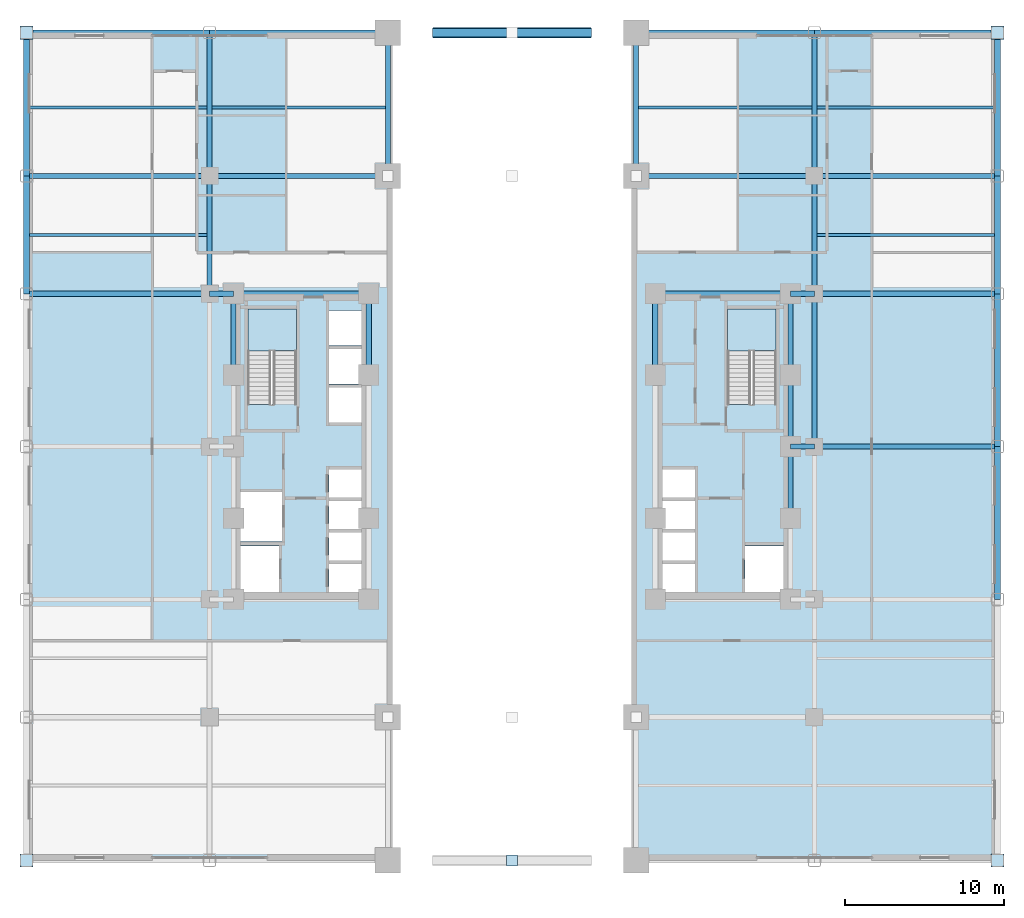
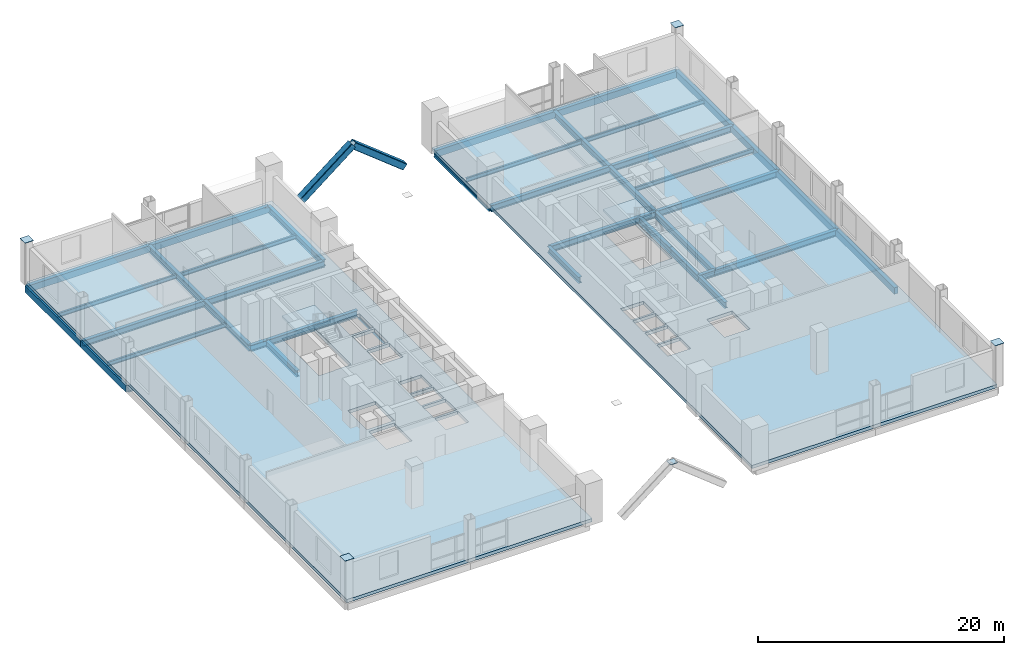
# One storey, part 2 of 14: 43 beams, 5 plates, 4 slabs, 2 elements without a shape of their own.
"""IFC4 building model written with IfcOpenShell, lengths in metres."""

import ifcopenshell
import ifcopenshell.guid

model = None  # the IFC model being written
_history = None  # IfcOwnerHistory: only IFC2X3 demands one
_inside = {}  # id of a spatial element -> (the spatial element, [elements in it])
_under = {}  # id of a project, library or spatial element -> (it, [spatial elements below it])
_declared = {}  # id of a project -> (the project, [libraries it declares])
_typed = {}  # id of a type object -> (the type object, [elements of that type])
_made_of = {}  # id of a material, layer set ... -> (it, [elements and type objects made of it])


def new_model(schema):
    """Start an empty IFC model of exactly this schema.

    Asked for "IFC4X3", IfcOpenShell would pick the latest addendum, in which some entities
    have other attributes; the version numbers below select the first issue.
    IFC2X3 requires an IfcOwnerHistory on every rooted entity: one is made here for all.
    """
    global model, _history
    if schema == "IFC4X3":
        model = ifcopenshell.file(schema_version=(4, 3, 0, 0))
    else:
        model = ifcopenshell.file(schema=schema)
    _inside.clear()
    _under.clear()
    _declared.clear()
    _typed.clear()
    _made_of.clear()
    _history = None
    if model.schema == "IFC2X3":
        org = make("IfcOrganization", Name="unknown")
        user = make(
            "IfcPersonAndOrganization",
            ThePerson=make("IfcPerson", FamilyName="unknown"),
            TheOrganization=org,
        )
        app = make(
            "IfcApplication",
            ApplicationDeveloper=org,
            Version="unknown",
            ApplicationFullName="unknown",
            ApplicationIdentifier="unknown",
        )
        _history = make(
            "IfcOwnerHistory",
            OwningUser=user,
            OwningApplication=app,
            ChangeAction="ADDED",
            CreationDate=0,
        )
    return model


def make(cls, **values):
    """One entity of the class cls with the attributes given. An attribute that is None is left unset."""
    return model.create_entity(
        cls, **{name: value for name, value in values.items() if value is not None}
    )


def rooted(cls, **values):
    """An entity with a GlobalId (a new one), such as an element, a storey or a relation."""
    return make(cls, GlobalId=ifcopenshell.guid.new(), OwnerHistory=_history, **values)


def si_unit(unit_type, name, prefix=None):
    """IfcSIUnit, for example si_unit("LENGTHUNIT", "METRE", prefix="MILLI")."""
    return make("IfcSIUnit", UnitType=unit_type, Prefix=prefix, Name=name)


def assignment(units):
    """IfcUnitAssignment: the units of a project."""
    return None if units is None else make("IfcUnitAssignment", Units=units)


def point(xyz):
    """IfcCartesianPoint."""
    return None if xyz is None else make("IfcCartesianPoint", Coordinates=xyz)


def direction(xyz):
    """IfcDirection."""
    return None if xyz is None else make("IfcDirection", DirectionRatios=xyz)


def frame(location, z_axis=None, x_axis=None):
    """IfcAxis2Placement3D, a coordinate frame: its origin and axes. An axis left out is left unset."""
    return make(
        "IfcAxis2Placement3D",
        Location=point(location),
        Axis=direction(z_axis),
        RefDirection=direction(x_axis),
    )


def frame_2d(location, x_axis=None):
    """IfcAxis2Placement2D, a coordinate frame in the plane: its origin and x axis."""
    return make(
        "IfcAxis2Placement2D", Location=point(location), RefDirection=direction(x_axis)
    )


def origin():
    """The frame at (0, 0, 0) with its axes left unset."""
    return frame((0.0, 0.0, 0.0))


def origin_2d():
    """The frame at (0, 0) in the plane with its x axis left unset."""
    return frame_2d((0.0, 0.0))


def place(relative_to, where):
    """IfcLocalPlacement: puts the frame where relative to a parent placement (None: the world)."""
    return make(
        "IfcLocalPlacement", PlacementRelTo=relative_to, RelativePlacement=where
    )


def context(
    kind, dimensions, precision=None, world=None, true_north=None, identifier=None
):
    """IfcGeometricRepresentationContext, for example the 3D "Model" context."""
    return make(
        "IfcGeometricRepresentationContext",
        ContextIdentifier=identifier,
        ContextType=kind,
        CoordinateSpaceDimension=dimensions,
        Precision=precision,
        WorldCoordinateSystem=world,
        TrueNorth=true_north,
    )


def subcontext(parent, identifier, kind, view, scale=None):
    """IfcGeometricRepresentationSubContext, for example "Body" below "Model"."""
    return make(
        "IfcGeometricRepresentationSubContext",
        ContextIdentifier=identifier,
        ContextType=kind,
        ParentContext=parent,
        TargetScale=scale,
        TargetView=view,
    )


def project(units=None, contexts=None):
    """IfcProject with its units and contexts."""
    return rooted(
        "IfcProject",
        Name="project",
        RepresentationContexts=contexts,
        UnitsInContext=assignment(units),
    )


def spatial(cls, under=None, at=None, **own):
    """A site, building, storey or space (cls), placed at a placement, below another one or the project."""
    s = rooted(cls, ObjectPlacement=at, **own)
    if under is not None:
        _under.setdefault(under.id(), (under, []))[1].append(s)
    return s


def polyline(points):
    """IfcPolyline through the points."""
    return make("IfcPolyline", Points=[point(p) for p in points])


def profile(cls, at=None, kind="AREA", **sizes):
    """A parametric profile (cls). Its sizes go by their IFC names, for example OverallWidth=200.0."""
    return make(cls, ProfileType=kind, Position=at, **sizes)


def rectangle(**sizes):
    """IfcRectangleProfileDef."""
    return profile("IfcRectangleProfileDef", **sizes)


def hollow_rectangle(**sizes):
    """IfcRectangleHollowProfileDef."""
    return profile("IfcRectangleHollowProfileDef", **sizes)


def i_section(**sizes):
    """IfcIShapeProfileDef."""
    return profile("IfcIShapeProfileDef", **sizes)


def outline(outer, holes=None, kind="AREA"):
    """IfcArbitraryClosedProfileDef: a profile drawn as a closed curve; with holes, ...WithVoids."""
    if holes is None:
        return make("IfcArbitraryClosedProfileDef", ProfileType=kind, OuterCurve=outer)
    return make(
        "IfcArbitraryProfileDefWithVoids",
        ProfileType=kind,
        OuterCurve=outer,
        InnerCurves=holes,
    )


def extrude(swept, where, along, depth):
    """IfcExtrudedAreaSolid: the profile swept, set in the frame where, extruded along a direction by depth."""
    return make(
        "IfcExtrudedAreaSolid",
        SweptArea=swept,
        Position=where,
        ExtrudedDirection=direction(along),
        Depth=depth,
    )


def shape(context_of_items, identifier, shape_type, items):
    """IfcShapeRepresentation: the items that make up one representation, for example the "Body"."""
    return make(
        "IfcShapeRepresentation",
        ContextOfItems=context_of_items,
        RepresentationIdentifier=identifier,
        RepresentationType=shape_type,
        Items=items,
    )


def source(mapping_origin, context_of_items, identifier, shape_type, items):
    """IfcRepresentationMap: a shape defined once, which mapped items show again and again."""
    return make(
        "IfcRepresentationMap",
        MappingOrigin=mapping_origin,
        MappedRepresentation=shape(context_of_items, identifier, shape_type, items),
    )


def transform(
    local_origin,
    x_axis=None,
    y_axis=None,
    z_axis=None,
    scale=None,
    scale2=None,
    scale3=None,
    uniform=True,
):
    """IfcCartesianTransformationOperator3D, or its non-uniform kind. x_axis, y_axis, z_axis: its Axis1, 2, 3."""
    if uniform:
        return make(
            "IfcCartesianTransformationOperator3D",
            Axis1=direction(x_axis),
            Axis2=direction(y_axis),
            LocalOrigin=point(local_origin),
            Scale=scale,
            Axis3=direction(z_axis),
        )
    return make(
        "IfcCartesianTransformationOperator3DnonUniform",
        Axis1=direction(x_axis),
        Axis2=direction(y_axis),
        LocalOrigin=point(local_origin),
        Scale=scale,
        Axis3=direction(z_axis),
        Scale2=scale2,
        Scale3=scale3,
    )


def mapped(mapping_source, mapping_target):
    """IfcMappedItem: shows the shape of a source again, moved by a transform."""
    return make(
        "IfcMappedItem", MappingSource=mapping_source, MappingTarget=mapping_target
    )


def material(Name=None, Category=None):
    """IfcMaterial."""
    return make("IfcMaterial", Name=Name, Category=Category)


def layer(
    of_material, thickness, ventilated=None, Name=None, Category=None, Priority=None
):
    """IfcMaterialLayer: one layer of a wall or slab, of a material (None: an air gap)."""
    return make(
        "IfcMaterialLayer",
        Material=of_material,
        LayerThickness=thickness,
        IsVentilated=ventilated,
        Name=Name,
        Category=Category,
        Priority=Priority,
    )


def layer_set(layers, Name=None):
    """IfcMaterialLayerSet."""
    return make("IfcMaterialLayerSet", MaterialLayers=layers, LayerSetName=Name)


def material_profile(
    of_material, cross_section, Name=None, Category=None, Priority=None
):
    """IfcMaterialProfile: a cross section and its material."""
    return make(
        "IfcMaterialProfile",
        Name=Name,
        Material=of_material,
        Profile=cross_section,
        Priority=Priority,
        Category=Category,
    )


def profile_set(profiles, Name=None, composite=None):
    """IfcMaterialProfileSet."""
    return make(
        "IfcMaterialProfileSet",
        Name=Name,
        MaterialProfiles=profiles,
        CompositeProfile=composite,
    )


def made_of(thing, what):
    """Note that an element or type object is made of a material, layer set ...; save() writes the relation."""
    if what is not None:
        _made_of.setdefault(what.id(), (what, []))[1].append(thing)
    return thing


def type_object(cls, material=None, **own):
    """A type object (cls), such as IfcWallType, which elements share."""
    return made_of(rooted(cls, **own), material)


def type_shapes(of_type, sources):
    """Give a type object the sources (RepresentationMaps) that its elements show as mapped items."""
    of_type.RepresentationMaps = sources


def element(
    cls,
    number,
    at=None,
    inside=None,
    cuts=None,
    type_object=None,
    material=None,
    context=None,
    identifier="Body",
    shape_type=None,
    held_by="IfcProductDefinitionShape",
    body=None,
    shapes=None,
    **own,
):
    """One element of the class cls, such as IfcWall. Its Tag is "e" and its number.

    at: its placement. inside: the storey or other place that contains it. cuts: it is an
    opening in that element (IfcRelVoidsElement). A single representation is given by context,
    identifier, shape_type and body (its items); several are given by shapes. held_by: the class
    of the entity that holds the representations. save() writes the other relations.
    """
    e = rooted(cls, Tag="e%d" % number, ObjectPlacement=at, **own)
    if body is not None:
        shapes = [shape(context, identifier, shape_type, body)]
    if shapes is not None:
        e.Representation = make(held_by, Representations=shapes)
    if inside is not None:
        _inside.setdefault(inside.id(), (inside, []))[1].append(e)
    if cuts is not None:
        rooted(
            "IfcRelVoidsElement", RelatingBuildingElement=cuts, RelatedOpeningElement=e
        )
    if type_object is not None:
        _typed.setdefault(type_object.id(), (type_object, []))[1].append(e)
    return made_of(e, material)


def aggregate(whole, parts):
    """IfcRelAggregates: a whole, such as a stair, and the parts it consists of."""
    return rooted("IfcRelAggregates", RelatingObject=whole, RelatedObjects=parts)


def save(model, path):
    """Write the relations noted so far, then the file.

    IfcRelAggregates (storeys below a building ...), IfcRelContainedInSpatialStructure (elements
    in a storey), IfcRelDefinesByType, IfcRelAssociatesMaterial and IfcRelDeclares: one each for
    every whole, place, type object, material and project.
    """
    for whole, parts in _under.values():
        aggregate(whole, parts)
    for where, things in _inside.values():
        rooted(
            "IfcRelContainedInSpatialStructure",
            RelatedElements=things,
            RelatingStructure=where,
        )
    for kind, things in _typed.values():
        rooted("IfcRelDefinesByType", RelatedObjects=things, RelatingType=kind)
    for what, things in _made_of.values():
        rooted("IfcRelAssociatesMaterial", RelatedObjects=things, RelatingMaterial=what)
    for by, libraries in _declared.values():
        rooted("IfcRelDeclares", RelatingContext=by, RelatedDefinitions=libraries)
    model.write(path)


model = new_model("IFC4")

# Units and contexts
model_context = context("Model", 3, precision=1e-05, world=origin(), true_north=direction((0.0, 1.0)))
body_context = subcontext(model_context, "Body", "Model", "MODEL_VIEW")
ifc_project = project(units=[si_unit("LENGTHUNIT", "METRE"), si_unit("AREAUNIT", "SQUARE_METRE"), si_unit("VOLUMEUNIT", "CUBIC_METRE"), si_unit("PLANEANGLEUNIT", "RADIAN"), si_unit("MASSUNIT", "GRAM", prefix="KILO")], contexts=[model_context])

# Site, building, storey
site_placement = place(None, origin())
site = spatial("IfcSite", under=ifc_project, at=site_placement, CompositionType="ELEMENT")
building_placement = place(site_placement, origin())
building = spatial("IfcBuilding", under=site, at=building_placement, Name="Nuvemarco Arch Tower", CompositionType="ELEMENT")
storey_placement = place(building_placement, frame((0.0, 0.0, 13.800048828125)))
storey = spatial("IfcBuildingStorey", under=building, at=storey_placement, Name="L03", CompositionType="ELEMENT", Elevation=13.800048828125)

# Beams
ifc_material_1 = material(Name="Steel S355", Category="steel")
ifc_material_profile_1 = material_profile(ifc_material_1, hollow_rectangle(XDim=0.64990234375, YDim=0.64990234375, WallThickness=0.0400390625, InnerFilletRadius=0.0400390625, OuterFilletRadius=0.080078125, at=origin_2d()), Name="SHS650x650x40")
ifc_profile_set_1 = profile_set([ifc_material_profile_1], Name="Steel S355")
beam_type_1 = type_object("IfcBeamType", Name="BM-ARCH-RIB", PredefinedType="BEAM", material=ifc_profile_set_1)
for number, where, z_axis, x_axis, name in (
    (1, (-4.800048828125, 26.0, -0.800048828125), (0.784045015832, 0.0, 0.620703965791), (0.0, 1.0, 0.0), "Monumental portal arch rib segment N-3"),
    (2, (0.0, 26.0, 3.0), (0.784045015832, 0.0, -0.620703965791), (0.0, 1.0, 0.0), "Monumental portal arch rib segment N-4"),
):
    element("IfcBeam", number, at=place(storey_placement, frame(where, z_axis=z_axis, x_axis=x_axis)), inside=storey, type_object=beam_type_1, Name=name, PredefinedType="BEAM", context=body_context, shape_type="SweptSolid", body=[
        extrude(hollow_rectangle(XDim=0.64990234375, YDim=0.64990234375, WallThickness=0.0400390625, InnerFilletRadius=0.0400390625, OuterFilletRadius=0.080078125, at=origin_2d()), origin(), (0.0, 0.0, 1.0), 6.1220703125),
    ])
ifc_material_profile_2 = material_profile(ifc_material_1, i_section(OverallWidth=0.324951171875, OverallDepth=0.615966796875, WebThickness=0.013916015625, FlangeThickness=0.021484375, FilletRadius=0.01611328125, at=origin_2d()), Name="W610x174")
ifc_profile_set_2 = profile_set([ifc_material_profile_2], Name="Steel S355")
beam_type_2 = type_object("IfcBeamType", Name="BM-GIRD-610H", PredefinedType="BEAM", material=ifc_profile_set_2)
beam_1_placement = place(storey_placement, frame((-19.0, 9.60009765625, -0.6279296875), z_axis=(0.0, 1.0, 0.0), x_axis=(-1.0, 0.0, 0.0)))
element("IfcBeam", 3, at=beam_1_placement, inside=storey, type_object=beam_type_2, Name="L03 structural beam BGNS_L03_0_-19.0_+9.6", PredefinedType="BEAM", context=body_context, shape_type="SweptSolid", body=[
    extrude(i_section(OverallWidth=0.324951171875, OverallDepth=0.615966796875, WebThickness=0.013916015625, FlangeThickness=0.021484375, FilletRadius=0.01611328125, at=origin_2d()), origin(), (0.0, 0.0, 1.0), 7.39990234375),
])
beam_2_placement = place(storey_placement, frame((-19.0, 17.0, -0.6279296875), z_axis=(0.0, 1.0, 0.0), x_axis=(-1.0, 0.0, 0.0)))
element("IfcBeam", 4, at=beam_2_placement, inside=storey, type_object=beam_type_2, Name="L03 structural beam BGNS_L03_0_-19.0_+17.0", PredefinedType="BEAM", context=body_context, shape_type="SweptSolid", body=[
    extrude(i_section(OverallWidth=0.324951171875, OverallDepth=0.615966796875, WebThickness=0.013916015625, FlangeThickness=0.021484375, FilletRadius=0.01611328125, at=origin_2d()), origin(), (0.0, 0.0, 1.0), 9.0),
])
for number, where, z_axis, x_axis, name in (
    (5, (-17.5, 4.5, -0.6279296875), (0.0, 1.0, 0.0), (-1.0, 0.0, 0.0), "L03 structural beam BGNS_L03_0_-17.5_+4.5"),
    (6, (-9.0, 4.5, -0.6279296875), (0.0, 1.0, 0.0), (-1.0, 0.0, 0.0), "L03 structural beam BGNS_L03_0_-9.0_+4.5"),
):
    element("IfcBeam", number, at=place(storey_placement, frame(where, z_axis=z_axis, x_axis=x_axis)), inside=storey, type_object=beam_type_2, Name=name, PredefinedType="BEAM", context=body_context, shape_type="SweptSolid", body=[
        extrude(i_section(OverallWidth=0.324951171875, OverallDepth=0.615966796875, WebThickness=0.013916015625, FlangeThickness=0.021484375, FilletRadius=0.01611328125, at=origin_2d()), origin(), (0.0, 0.0, 1.0), 5.10009765625),
    ])
beam_3_placement = place(storey_placement, frame((-7.800048828125, 17.0, -0.6279296875), z_axis=(0.0, 1.0, 0.0), x_axis=(-1.0, 0.0, 0.0)))
element("IfcBeam", 7, at=beam_3_placement, inside=storey, type_object=beam_type_2, Name="L03 structural beam BGNS_L03_0_-7.8_+17.0", PredefinedType="BEAM", context=body_context, shape_type="SweptSolid", body=[
    extrude(i_section(OverallWidth=0.324951171875, OverallDepth=0.615966796875, WebThickness=0.013916015625, FlangeThickness=0.021484375, FilletRadius=0.01611328125, at=origin_2d()), origin(), (0.0, 0.0, 1.0), 9.0),
])
beam_4_placement = place(storey_placement, frame((-30.5, 9.60009765625, -0.6279296875), z_axis=(1.0, 0.0, 0.0), x_axis=(0.0, 1.0, 0.0)))
element("IfcBeam", 8, at=beam_4_placement, inside=storey, type_object=beam_type_2, Name="L03 structural beam BGEW_L03_0_+9.6_-30.5", PredefinedType="BEAM", context=body_context, shape_type="SweptSolid", body=[
    extrude(i_section(OverallWidth=0.324951171875, OverallDepth=0.615966796875, WebThickness=0.013916015625, FlangeThickness=0.021484375, FilletRadius=0.01611328125, at=origin_2d()), origin(), (0.0, 0.0, 1.0), 11.5),
])
beam_5_placement = place(storey_placement, frame((-19.0, 9.60009765625, -0.6279296875), z_axis=(1.0, 0.0, 0.0), x_axis=(0.0, 1.0, 0.0)))
element("IfcBeam", 9, at=beam_5_placement, inside=storey, type_object=beam_type_2, Name="L03 structural beam BGEW_L03_0_+9.6_-19.0", PredefinedType="BEAM", context=body_context, shape_type="SweptSolid", body=[
    extrude(i_section(OverallWidth=0.324951171875, OverallDepth=0.615966796875, WebThickness=0.013916015625, FlangeThickness=0.021484375, FilletRadius=0.01611328125, at=origin_2d()), origin(), (0.0, 0.0, 1.0), 1.5),
])
beam_6_placement = place(storey_placement, frame((-17.5, 9.60009765625, -0.6279296875), z_axis=(1.0, 0.0, 0.0), x_axis=(0.0, 1.0, 0.0)))
element("IfcBeam", 10, at=beam_6_placement, inside=storey, type_object=beam_type_2, Name="L03 structural beam BGEW_L03_0_+9.6_-17.5", PredefinedType="BEAM", context=body_context, shape_type="SweptSolid", body=[
    extrude(i_section(OverallWidth=0.324951171875, OverallDepth=0.615966796875, WebThickness=0.013916015625, FlangeThickness=0.021484375, FilletRadius=0.01611328125, at=origin_2d()), origin(), (0.0, 0.0, 1.0), 8.5),
])
beam_7_placement = place(storey_placement, frame((-30.5, 17.0, -0.6279296875), z_axis=(1.0, 0.0, 0.0), x_axis=(0.0, 1.0, 0.0)))
element("IfcBeam", 11, at=beam_7_placement, inside=storey, type_object=beam_type_2, Name="L03 structural beam BGEW_L03_0_+17.0_-30.5", PredefinedType="BEAM", context=body_context, shape_type="SweptSolid", body=[
    extrude(i_section(OverallWidth=0.324951171875, OverallDepth=0.615966796875, WebThickness=0.013916015625, FlangeThickness=0.021484375, FilletRadius=0.01611328125, at=origin_2d()), origin(), (0.0, 0.0, 1.0), 11.5),
])
beam_8_placement = place(storey_placement, frame((-19.0, 17.0, -0.6279296875), z_axis=(1.0, 0.0, 0.0), x_axis=(0.0, 1.0, 0.0)))
element("IfcBeam", 12, at=beam_8_placement, inside=storey, type_object=beam_type_2, Name="L03 structural beam BGEW_L03_0_+17.0_-19.0", PredefinedType="BEAM", context=body_context, shape_type="SweptSolid", body=[
    extrude(i_section(OverallWidth=0.324951171875, OverallDepth=0.615966796875, WebThickness=0.013916015625, FlangeThickness=0.021484375, FilletRadius=0.01611328125, at=origin_2d()), origin(), (0.0, 0.0, 1.0), 11.199951171875),
])
beam_9_placement = place(storey_placement, frame((7.800048828125, 17.0, -0.6279296875), z_axis=(0.0, 1.0, 0.0), x_axis=(-1.0, 0.0, 0.0)))
element("IfcBeam", 13, at=beam_9_placement, inside=storey, type_object=beam_type_2, Name="L03 structural beam BGNS_L03_1_+7.8_+17.0", PredefinedType="BEAM", context=body_context, shape_type="SweptSolid", body=[
    extrude(i_section(OverallWidth=0.324951171875, OverallDepth=0.615966796875, WebThickness=0.013916015625, FlangeThickness=0.021484375, FilletRadius=0.01611328125, at=origin_2d()), origin(), (0.0, 0.0, 1.0), 9.0),
])
beam_10_placement = place(storey_placement, frame((9.0, 4.5, -0.6279296875), z_axis=(0.0, 1.0, 0.0), x_axis=(-1.0, 0.0, 0.0)))
element("IfcBeam", 14, at=beam_10_placement, inside=storey, type_object=beam_type_2, Name="L03 structural beam BGNS_L03_1_+9.0_+4.5", PredefinedType="BEAM", context=body_context, shape_type="SweptSolid", body=[
    extrude(i_section(OverallWidth=0.324951171875, OverallDepth=0.615966796875, WebThickness=0.013916015625, FlangeThickness=0.021484375, FilletRadius=0.01611328125, at=origin_2d()), origin(), (0.0, 0.0, 1.0), 5.10009765625),
])
for number, where, z_axis, x_axis, name in (
    (15, (17.5, -4.5, -0.6279296875), (0.0, 1.0, 0.0), (-1.0, 0.0, 0.0), "L03 structural beam BGNS_L03_1_+17.5_-4.5"),
    (16, (17.5, 0.0, -0.6279296875), (0.0, 1.0, 0.0), (-1.0, 0.0, 0.0), "L03 structural beam BGNS_L03_1_+17.5_+0.0"),
):
    element("IfcBeam", number, at=place(storey_placement, frame(where, z_axis=z_axis, x_axis=x_axis)), inside=storey, type_object=beam_type_2, Name=name, PredefinedType="BEAM", context=body_context, shape_type="SweptSolid", body=[
        extrude(i_section(OverallWidth=0.324951171875, OverallDepth=0.615966796875, WebThickness=0.013916015625, FlangeThickness=0.021484375, FilletRadius=0.01611328125, at=origin_2d()), origin(), (0.0, 0.0, 1.0), 4.5),
    ])
beam_11_placement = place(storey_placement, frame((17.5, 4.5, -0.6279296875), z_axis=(0.0, 1.0, 0.0), x_axis=(-1.0, 0.0, 0.0)))
element("IfcBeam", 17, at=beam_11_placement, inside=storey, type_object=beam_type_2, Name="L03 structural beam BGNS_L03_1_+17.5_+4.5", PredefinedType="BEAM", context=body_context, shape_type="SweptSolid", body=[
    extrude(i_section(OverallWidth=0.324951171875, OverallDepth=0.615966796875, WebThickness=0.013916015625, FlangeThickness=0.021484375, FilletRadius=0.01611328125, at=origin_2d()), origin(), (0.0, 0.0, 1.0), 5.10009765625),
])
beam_12_placement = place(storey_placement, frame((19.0, 0.0, -0.6279296875), z_axis=(0.0, 1.0, 0.0), x_axis=(-1.0, 0.0, 0.0)))
element("IfcBeam", 18, at=beam_12_placement, inside=storey, type_object=beam_type_2, Name="L03 structural beam BGNS_L03_1_+19.0_+0.0", PredefinedType="BEAM", context=body_context, shape_type="SweptSolid", body=[
    extrude(i_section(OverallWidth=0.324951171875, OverallDepth=0.615966796875, WebThickness=0.013916015625, FlangeThickness=0.021484375, FilletRadius=0.01611328125, at=origin_2d()), origin(), (0.0, 0.0, 1.0), 9.60009765625),
])
beam_13_placement = place(storey_placement, frame((19.0, 9.60009765625, -0.6279296875), z_axis=(0.0, 1.0, 0.0), x_axis=(-1.0, 0.0, 0.0)))
element("IfcBeam", 19, at=beam_13_placement, inside=storey, type_object=beam_type_2, Name="L03 structural beam BGNS_L03_1_+19.0_+9.6", PredefinedType="BEAM", context=body_context, shape_type="SweptSolid", body=[
    extrude(i_section(OverallWidth=0.324951171875, OverallDepth=0.615966796875, WebThickness=0.013916015625, FlangeThickness=0.021484375, FilletRadius=0.01611328125, at=origin_2d()), origin(), (0.0, 0.0, 1.0), 7.39990234375),
])
beam_14_placement = place(storey_placement, frame((19.0, 17.0, -0.6279296875), z_axis=(0.0, 1.0, 0.0), x_axis=(-1.0, 0.0, 0.0)))
element("IfcBeam", 20, at=beam_14_placement, inside=storey, type_object=beam_type_2, Name="L03 structural beam BGNS_L03_1_+19.0_+17.0", PredefinedType="BEAM", context=body_context, shape_type="SweptSolid", body=[
    extrude(i_section(OverallWidth=0.324951171875, OverallDepth=0.615966796875, WebThickness=0.013916015625, FlangeThickness=0.021484375, FilletRadius=0.01611328125, at=origin_2d()), origin(), (0.0, 0.0, 1.0), 9.0),
])
beam_15_placement = place(storey_placement, frame((17.5, 0.0, -0.6279296875), z_axis=(1.0, 0.0, 0.0), x_axis=(0.0, 1.0, 0.0)))
element("IfcBeam", 21, at=beam_15_placement, inside=storey, type_object=beam_type_2, Name="L03 structural beam BGEW_L03_1_+0.0_+17.5", PredefinedType="BEAM", context=body_context, shape_type="SweptSolid", body=[
    extrude(i_section(OverallWidth=0.324951171875, OverallDepth=0.615966796875, WebThickness=0.013916015625, FlangeThickness=0.021484375, FilletRadius=0.01611328125, at=origin_2d()), origin(), (0.0, 0.0, 1.0), 1.5),
])
beam_16_placement = place(storey_placement, frame((19.0, 0.0, -0.6279296875), z_axis=(1.0, 0.0, 0.0), x_axis=(0.0, 1.0, 0.0)))
element("IfcBeam", 22, at=beam_16_placement, inside=storey, type_object=beam_type_2, Name="L03 structural beam BGEW_L03_1_+0.0_+19.0", PredefinedType="BEAM", context=body_context, shape_type="SweptSolid", body=[
    extrude(i_section(OverallWidth=0.324951171875, OverallDepth=0.615966796875, WebThickness=0.013916015625, FlangeThickness=0.021484375, FilletRadius=0.01611328125, at=origin_2d()), origin(), (0.0, 0.0, 1.0), 11.5),
])
beam_17_placement = place(storey_placement, frame((9.0, 9.60009765625, -0.6279296875), z_axis=(1.0, 0.0, 0.0), x_axis=(0.0, 1.0, 0.0)))
element("IfcBeam", 23, at=beam_17_placement, inside=storey, type_object=beam_type_2, Name="L03 structural beam BGEW_L03_1_+9.6_+9.0", PredefinedType="BEAM", context=body_context, shape_type="SweptSolid", body=[
    extrude(i_section(OverallWidth=0.324951171875, OverallDepth=0.615966796875, WebThickness=0.013916015625, FlangeThickness=0.021484375, FilletRadius=0.01611328125, at=origin_2d()), origin(), (0.0, 0.0, 1.0), 8.5),
])
beam_18_placement = place(storey_placement, frame((17.5, 9.60009765625, -0.6279296875), z_axis=(1.0, 0.0, 0.0), x_axis=(0.0, 1.0, 0.0)))
element("IfcBeam", 24, at=beam_18_placement, inside=storey, type_object=beam_type_2, Name="L03 structural beam BGEW_L03_1_+9.6_+17.5", PredefinedType="BEAM", context=body_context, shape_type="SweptSolid", body=[
    extrude(i_section(OverallWidth=0.324951171875, OverallDepth=0.615966796875, WebThickness=0.013916015625, FlangeThickness=0.021484375, FilletRadius=0.01611328125, at=origin_2d()), origin(), (0.0, 0.0, 1.0), 1.5),
])
beam_19_placement = place(storey_placement, frame((19.0, 9.60009765625, -0.6279296875), z_axis=(1.0, 0.0, 0.0), x_axis=(0.0, 1.0, 0.0)))
element("IfcBeam", 25, at=beam_19_placement, inside=storey, type_object=beam_type_2, Name="L03 structural beam BGEW_L03_1_+9.6_+19.0", PredefinedType="BEAM", context=body_context, shape_type="SweptSolid", body=[
    extrude(i_section(OverallWidth=0.324951171875, OverallDepth=0.615966796875, WebThickness=0.013916015625, FlangeThickness=0.021484375, FilletRadius=0.01611328125, at=origin_2d()), origin(), (0.0, 0.0, 1.0), 11.5),
])
beam_20_placement = place(storey_placement, frame((7.800048828125, 17.0, -0.6279296875), z_axis=(1.0, 0.0, 0.0), x_axis=(0.0, 1.0, 0.0)))
element("IfcBeam", 26, at=beam_20_placement, inside=storey, type_object=beam_type_2, Name="L03 structural beam BGEW_L03_1_+17.0_+7.8", PredefinedType="BEAM", context=body_context, shape_type="SweptSolid", body=[
    extrude(i_section(OverallWidth=0.324951171875, OverallDepth=0.615966796875, WebThickness=0.013916015625, FlangeThickness=0.021484375, FilletRadius=0.01611328125, at=origin_2d()), origin(), (0.0, 0.0, 1.0), 11.199951171875),
])
beam_21_placement = place(storey_placement, frame((19.0, 17.0, -0.6279296875), z_axis=(1.0, 0.0, 0.0), x_axis=(0.0, 1.0, 0.0)))
element("IfcBeam", 27, at=beam_21_placement, inside=storey, type_object=beam_type_2, Name="L03 structural beam BGEW_L03_1_+17.0_+19.0", PredefinedType="BEAM", context=body_context, shape_type="SweptSolid", body=[
    extrude(i_section(OverallWidth=0.324951171875, OverallDepth=0.615966796875, WebThickness=0.013916015625, FlangeThickness=0.021484375, FilletRadius=0.01611328125, at=origin_2d()), origin(), (0.0, 0.0, 1.0), 11.5),
])
ifc_material_profile_3 = material_profile(ifc_material_1, i_section(OverallWidth=0.179931640625, OverallDepth=0.4130859375, WebThickness=0.009765625, FlangeThickness=0.01611328125, FilletRadius=0.014892578125, at=origin_2d()), Name="W410x75")
ifc_profile_set_3 = profile_set([ifc_material_profile_3], Name="Steel S355")
beam_type_3 = type_object("IfcBeamType", Name="BM-JOIST-410", PredefinedType="JOIST", material=ifc_profile_set_3)
for number, where, z_axis, x_axis, name in (
    (28, (-30.324951171875, 13.300048828125, -0.526611328125), (1.0, 0.0, 0.0), (0.0, 1.0, 0.0), "L03 structural beam BJ_L03_0_+13.3_-30.5"),
    (29, (-30.324951171875, 21.300048828125, -0.526611328125), (1.0, 0.0, 0.0), (0.0, 1.0, 0.0), "L03 structural beam BJ_L03_0_+21.3_-30.5"),
):
    element("IfcBeam", number, at=place(storey_placement, frame(where, z_axis=z_axis, x_axis=x_axis)), inside=storey, type_object=beam_type_3, Name=name, PredefinedType="JOIST", context=body_context, shape_type="SweptSolid", body=[
        extrude(i_section(OverallWidth=0.179931640625, OverallDepth=0.4130859375, WebThickness=0.009765625, FlangeThickness=0.01611328125, FilletRadius=0.014892578125, at=origin_2d()), origin(), (0.0, 0.0, 1.0), 11.162353515625),
    ])
beam_22_placement = place(storey_placement, frame((-18.83740234375, 21.300048828125, -0.526611328125), z_axis=(1.0, 0.0, 0.0), x_axis=(0.0, 1.0, 0.0)))
element("IfcBeam", 30, at=beam_22_placement, inside=storey, type_object=beam_type_3, Name="L03 structural beam BJ_L03_0_+21.3_-19.0", PredefinedType="JOIST", context=body_context, shape_type="SweptSolid", body=[
    extrude(i_section(OverallWidth=0.179931640625, OverallDepth=0.4130859375, WebThickness=0.009765625, FlangeThickness=0.01611328125, FilletRadius=0.014892578125, at=origin_2d()), origin(), (0.0, 0.0, 1.0), 10.875),
])
beam_23_placement = place(storey_placement, frame((19.16259765625, 13.300048828125, -0.526611328125), z_axis=(1.0, 0.0, 0.0), x_axis=(0.0, 1.0, 0.0)))
element("IfcBeam", 31, at=beam_23_placement, inside=storey, type_object=beam_type_3, Name="L03 structural beam BJ_L03_1_+13.3_+19.0", PredefinedType="JOIST", context=body_context, shape_type="SweptSolid", body=[
    extrude(i_section(OverallWidth=0.179931640625, OverallDepth=0.4130859375, WebThickness=0.009765625, FlangeThickness=0.01611328125, FilletRadius=0.014892578125, at=origin_2d()), origin(), (0.0, 0.0, 1.0), 11.162353515625),
])
beam_24_placement = place(storey_placement, frame((7.96240234375, 21.300048828125, -0.526611328125), z_axis=(1.0, 0.0, 0.0), x_axis=(0.0, 1.0, 0.0)))
element("IfcBeam", 32, at=beam_24_placement, inside=storey, type_object=beam_type_3, Name="L03 structural beam BJ_L03_1_+21.3_+7.8", PredefinedType="JOIST", context=body_context, shape_type="SweptSolid", body=[
    extrude(i_section(OverallWidth=0.179931640625, OverallDepth=0.4130859375, WebThickness=0.009765625, FlangeThickness=0.01611328125, FilletRadius=0.014892578125, at=origin_2d()), origin(), (0.0, 0.0, 1.0), 10.875),
])
beam_25_placement = place(storey_placement, frame((19.16259765625, 21.300048828125, -0.526611328125), z_axis=(1.0, 0.0, 0.0), x_axis=(0.0, 1.0, 0.0)))
element("IfcBeam", 33, at=beam_25_placement, inside=storey, type_object=beam_type_3, Name="L03 structural beam BJ_L03_1_+21.3_+19.0", PredefinedType="JOIST", context=body_context, shape_type="SweptSolid", body=[
    extrude(i_section(OverallWidth=0.179931640625, OverallDepth=0.4130859375, WebThickness=0.009765625, FlangeThickness=0.01611328125, FilletRadius=0.014892578125, at=origin_2d()), origin(), (0.0, 0.0, 1.0), 11.162353515625),
])
ifc_material_2 = material(Name="Precast concrete C45/55", Category="concrete")
ifc_material_profile_4 = material_profile(ifc_material_2, rectangle(XDim=0.35009765625, YDim=0.64990234375, at=origin_2d()), Name="PC-SP-350x650")
ifc_profile_set_4 = profile_set([ifc_material_profile_4], Name="Precast concrete C45/55")
beam_type_4 = type_object("IfcBeamType", Name="BM-SPAN-RC", PredefinedType="SPANDREL", material=ifc_profile_set_4)
beam_26_placement = place(storey_placement, frame((-30.5, 9.60009765625, -0.64501953125), z_axis=(0.0, 1.0, 0.0), x_axis=(-1.0, 0.0, 0.0)))
element("IfcBeam", 34, at=beam_26_placement, inside=storey, type_object=beam_type_4, Name="L03 structural beam BGNS_L03_0_-30.5_+9.6", PredefinedType="SPANDREL", context=body_context, shape_type="SweptSolid", body=[
    extrude(rectangle(XDim=0.35009765625, YDim=0.64990234375, at=origin_2d()), origin(), (0.0, 0.0, 1.0), 7.39990234375),
])
beam_27_placement = place(storey_placement, frame((-30.5, 17.0, -0.64501953125), z_axis=(0.0, 1.0, 0.0), x_axis=(-1.0, 0.0, 0.0)))
element("IfcBeam", 35, at=beam_27_placement, inside=storey, type_object=beam_type_4, Name="L03 structural beam BGNS_L03_0_-30.5_+17.0", PredefinedType="SPANDREL", context=body_context, shape_type="SweptSolid", body=[
    extrude(rectangle(XDim=0.35009765625, YDim=0.64990234375, at=origin_2d()), origin(), (0.0, 0.0, 1.0), 9.0),
])
beam_28_placement = place(storey_placement, frame((-30.5, 26.0, -0.64501953125), z_axis=(1.0, 0.0, 0.0), x_axis=(0.0, 1.0, 0.0)))
element("IfcBeam", 36, at=beam_28_placement, inside=storey, type_object=beam_type_4, Name="L03 structural beam BGEW_L03_0_+26.0_-30.5", PredefinedType="SPANDREL", context=body_context, shape_type="SweptSolid", body=[
    extrude(rectangle(XDim=0.35009765625, YDim=0.64990234375, at=origin_2d()), origin(), (0.0, 0.0, 1.0), 11.5),
])
beam_29_placement = place(storey_placement, frame((-19.0, 26.0, -0.64501953125), z_axis=(1.0, 0.0, 0.0), x_axis=(0.0, 1.0, 0.0)))
element("IfcBeam", 37, at=beam_29_placement, inside=storey, type_object=beam_type_4, Name="L03 structural beam BGEW_L03_0_+26.0_-19.0", PredefinedType="SPANDREL", context=body_context, shape_type="SweptSolid", body=[
    extrude(rectangle(XDim=0.35009765625, YDim=0.64990234375, at=origin_2d()), origin(), (0.0, 0.0, 1.0), 11.199951171875),
])
for number, where, z_axis, x_axis, name in (
    (38, (30.5, -9.60009765625, -0.64501953125), (0.0, 1.0, 0.0), (-1.0, 0.0, 0.0), "L03 structural beam BGNS_L03_1_+30.5_-9.6"),
    (39, (30.5, 0.0, -0.64501953125), (0.0, 1.0, 0.0), (-1.0, 0.0, 0.0), "L03 structural beam BGNS_L03_1_+30.5_+0.0"),
):
    element("IfcBeam", number, at=place(storey_placement, frame(where, z_axis=z_axis, x_axis=x_axis)), inside=storey, type_object=beam_type_4, Name=name, PredefinedType="SPANDREL", context=body_context, shape_type="SweptSolid", body=[
        extrude(rectangle(XDim=0.35009765625, YDim=0.64990234375, at=origin_2d()), origin(), (0.0, 0.0, 1.0), 9.60009765625),
    ])
beam_30_placement = place(storey_placement, frame((30.5, 9.60009765625, -0.64501953125), z_axis=(0.0, 1.0, 0.0), x_axis=(-1.0, 0.0, 0.0)))
element("IfcBeam", 40, at=beam_30_placement, inside=storey, type_object=beam_type_4, Name="L03 structural beam BGNS_L03_1_+30.5_+9.6", PredefinedType="SPANDREL", context=body_context, shape_type="SweptSolid", body=[
    extrude(rectangle(XDim=0.35009765625, YDim=0.64990234375, at=origin_2d()), origin(), (0.0, 0.0, 1.0), 7.39990234375),
])
beam_31_placement = place(storey_placement, frame((30.5, 17.0, -0.64501953125), z_axis=(0.0, 1.0, 0.0), x_axis=(-1.0, 0.0, 0.0)))
element("IfcBeam", 41, at=beam_31_placement, inside=storey, type_object=beam_type_4, Name="L03 structural beam BGNS_L03_1_+30.5_+17.0", PredefinedType="SPANDREL", context=body_context, shape_type="SweptSolid", body=[
    extrude(rectangle(XDim=0.35009765625, YDim=0.64990234375, at=origin_2d()), origin(), (0.0, 0.0, 1.0), 9.0),
])
beam_32_placement = place(storey_placement, frame((7.800048828125, 26.0, -0.64501953125), z_axis=(1.0, 0.0, 0.0), x_axis=(0.0, 1.0, 0.0)))
element("IfcBeam", 42, at=beam_32_placement, inside=storey, type_object=beam_type_4, Name="L03 structural beam BGEW_L03_1_+26.0_+7.8", PredefinedType="SPANDREL", context=body_context, shape_type="SweptSolid", body=[
    extrude(rectangle(XDim=0.35009765625, YDim=0.64990234375, at=origin_2d()), origin(), (0.0, 0.0, 1.0), 11.199951171875),
])
beam_33_placement = place(storey_placement, frame((19.0, 26.0, -0.64501953125), z_axis=(1.0, 0.0, 0.0), x_axis=(0.0, 1.0, 0.0)))
element("IfcBeam", 43, at=beam_33_placement, inside=storey, type_object=beam_type_4, Name="L03 structural beam BGEW_L03_1_+26.0_+19.0", PredefinedType="SPANDREL", context=body_context, shape_type="SweptSolid", body=[
    extrude(rectangle(XDim=0.35009765625, YDim=0.64990234375, at=origin_2d()), origin(), (0.0, 0.0, 1.0), 11.5),
])

# Slabs
ifc_material_3 = material(Name="Concrete C50/60", Category="concrete")
ifc_layer_1 = layer(ifc_material_3, 0.320068359375, Name="SL-FLR-320")
ifc_layer_set_1 = layer_set([ifc_layer_1], Name="Concrete C50/60")
slab_type_1 = type_object("IfcSlabType", Name="SL-FLR-320", PredefinedType="FLOOR", material=ifc_layer_set_1)
slab_1_placement = place(storey_placement, frame((0.0, 0.0, -0.320068359375)))
element("IfcSlab", 44, at=slab_1_placement, inside=storey, type_object=slab_type_1, Name="L03 structural floor slab", PredefinedType="FLOOR", context=body_context, shape_type="SweptSolid", body=[
    extrude(outline(polyline([(-30.5, -26.0), (-7.5, -26.0), (-7.5, 26.0), (-30.5, 26.0), (-30.5, -26.0)]), holes=[polyline([(-13.5400390625, 2.669921875), (-13.5400390625, 8.64990234375), (-16.60009765625, 8.64990234375), (-16.60009765625, 2.630615234375), (-15.070068359375, 2.630615234375), (-15.070068359375, 2.669921875), (-13.5400390625, 2.669921875)]), polyline([(-17.050048828125, -9.14990234375), (-14.64990234375, -9.14990234375), (-14.64990234375, -6.25), (-17.050048828125, -6.25), (-17.050048828125, -9.14990234375)]), polyline([(-17.050048828125, -5.949951171875), (-14.449951171875, -5.949951171875), (-14.449951171875, -2.85009765625), (-17.050048828125, -2.85009765625), (-17.050048828125, -5.949951171875)]), polyline([(-11.5, -9.14990234375), (-9.35009765625, -9.14990234375), (-9.35009765625, -7.3701171875), (-11.5, -7.3701171875), (-11.5, -9.14990234375)]), polyline([(-11.5, -7.169921875), (-9.35009765625, -7.169921875), (-9.35009765625, -5.389892578125), (-11.5, -5.389892578125), (-11.5, -7.169921875)]), polyline([(-11.5, -5.18994140625), (-9.35009765625, -5.18994140625), (-9.35009765625, -3.409912109375), (-11.5, -3.409912109375), (-11.5, -5.18994140625)]), polyline([(-11.5, -3.2099609375), (-9.35009765625, -3.2099609375), (-9.35009765625, -1.429931640625), (-11.5, -1.429931640625), (-11.5, -3.2099609375)]), polyline([(-11.5, 1.5), (-9.35009765625, 1.5), (-9.35009765625, 3.699951171875), (-11.5, 3.699951171875), (-11.5, 1.5)]), polyline([(-11.5, 3.919921875), (-9.35009765625, 3.919921875), (-9.35009765625, 6.1201171875), (-11.5, 6.1201171875), (-11.5, 3.919921875)]), polyline([(-11.5, 6.340087890625), (-9.35009765625, 6.340087890625), (-9.35009765625, 8.5400390625), (-11.5, 8.5400390625), (-11.5, 6.340087890625)])]), origin(), (0.0, 0.0, 1.0), 0.320068359375),
])
slab_2_placement = place(storey_placement, frame((0.0, 0.0, -0.320068359375)))
element("IfcSlab", 45, at=slab_2_placement, inside=storey, type_object=slab_type_1, Name="L03 structural floor slab", PredefinedType="FLOOR", context=body_context, shape_type="SweptSolid", body=[
    extrude(outline(polyline([(7.5, -26.0), (30.5, -26.0), (30.5, 26.0), (7.5, 26.0), (7.5, -26.0)]), holes=[polyline([(16.60009765625, 2.669921875), (16.60009765625, 8.64990234375), (13.5400390625, 8.64990234375), (13.5400390625, 2.630615234375), (15.070068359375, 2.630615234375), (15.070068359375, 2.669921875), (16.60009765625, 2.669921875)]), polyline([(14.64990234375, -9.14990234375), (17.050048828125, -9.14990234375), (17.050048828125, -6.25), (14.64990234375, -6.25), (14.64990234375, -9.14990234375)]), polyline([(9.35009765625, -9.14990234375), (11.5, -9.14990234375), (11.5, -7.3701171875), (9.35009765625, -7.3701171875), (9.35009765625, -9.14990234375)]), polyline([(9.35009765625, -7.169921875), (11.5, -7.169921875), (11.5, -5.389892578125), (9.35009765625, -5.389892578125), (9.35009765625, -7.169921875)]), polyline([(9.35009765625, -5.18994140625), (11.5, -5.18994140625), (11.5, -3.409912109375), (9.35009765625, -3.409912109375), (9.35009765625, -5.18994140625)]), polyline([(9.35009765625, -3.2099609375), (11.5, -3.2099609375), (11.5, -1.429931640625), (9.35009765625, -1.429931640625), (9.35009765625, -3.2099609375)])]), origin(), (0.0, 0.0, 1.0), 0.320068359375),
])

# Stair, slab
stair_type = type_object("IfcStairType", Name="ST-CORE-26R", PredefinedType="HALF_TURN_STAIR", material=ifc_material_2)
stair_1_placement = place(storey_placement, origin())
stair_1 = element("IfcStair", 46, at=stair_1_placement, inside=storey, type_object=stair_type, Name="L03 Protected Exit Stair ST-1", PredefinedType="HALF_TURN_STAIR")
ifc_layer_2 = layer(ifc_material_2, 0.199951171875, Name="SL-LANDING-200")
ifc_layer_set_2 = layer_set([ifc_layer_2], Name="Precast concrete C45/55")
slab_type_2 = type_object("IfcSlabType", Name="SL-LANDING-200", PredefinedType="LANDING", material=ifc_layer_set_2)
slab_3_placement = place(storey_placement, frame((0.0, 0.0, 2.099853515625)))
slab_3 = element("IfcSlab", 47, at=slab_3_placement, type_object=slab_type_2, Name="ST-26R landing 1", PredefinedType="LANDING", context=body_context, shape_type="SweptSolid", body=[
    extrude(outline(polyline([(-13.5400390625, 6.029296875), (-13.5400390625, 8.64990234375), (-16.60009765625, 8.64990234375), (-16.60009765625, 6.010009765625), (-15.070068359375, 6.010009765625), (-15.070068359375, 6.029296875), (-13.5400390625, 6.029296875)])), origin(), (0.0, 0.0, 1.0), 0.2001953125),
])
aggregate(stair_1, [slab_3])

stair_2_placement = place(storey_placement, origin())
stair_2 = element("IfcStair", 48, at=stair_2_placement, inside=storey, type_object=stair_type, Name="L03 Protected Exit Stair ST-2", PredefinedType="HALF_TURN_STAIR")
slab_4_placement = place(storey_placement, frame((0.0, 0.0, 2.099853515625)))
slab_4 = element("IfcSlab", 49, at=slab_4_placement, type_object=slab_type_2, Name="ST-26R landing 1", PredefinedType="LANDING", context=body_context, shape_type="SweptSolid", body=[
    extrude(outline(polyline([(16.60009765625, 6.029296875), (16.60009765625, 8.64990234375), (13.5400390625, 8.64990234375), (13.5400390625, 6.010009765625), (15.070068359375, 6.010009765625), (15.070068359375, 6.029296875), (16.60009765625, 6.029296875)])), origin(), (0.0, 0.0, 1.0), 0.2001953125),
])
aggregate(stair_2, [slab_4])

# Plates
ifc_layer_3 = layer(ifc_material_1, 0.030029296875, Name="PL-CAP-650-EXT")
ifc_layer_set_3 = layer_set([ifc_layer_3], Name="Steel S355")
plate_type_1 = type_object("IfcPlateType", Name="PL-CAP-650-EXT", PredefinedType="SHEET", material=ifc_layer_set_3)
shared_shape_1 = source(origin(), body_context, "Body", "SweptSolid", [
    extrude(rectangle(XDim=0.669921875, YDim=0.669921875, at=origin_2d()), origin(), (0.0, 0.0, 1.0), 0.030029296875),
])
type_shapes(plate_type_1, [shared_shape_1])
plate_placement = place(storey_placement, frame((0.0, -26.0, 2.98486328125), z_axis=(0.0, 0.0, 1.0), x_axis=(1.0, 0.0, 0.0)))
element("IfcPlate", 50, at=plate_placement, inside=storey, type_object=plate_type_1, Name="Hollow steel end-cap plate ARCH_RIB_S_2_C1", PredefinedType="SHEET", context=body_context, shape_type="MappedRepresentation", body=[
    mapped(shared_shape_1, transform((0.0, 0.0, 0.0), scale=1.0)),
])
ifc_material_4 = material(Name="Steel S460", Category="steel")
ifc_layer_4 = layer(ifc_material_4, 0.030029296875, Name="PL-CAP-800-EXT")
ifc_layer_set_4 = layer_set([ifc_layer_4], Name="Steel S460")
plate_type_2 = type_object("IfcPlateType", Name="PL-CAP-800-EXT", PredefinedType="SHEET", material=ifc_layer_set_4)
shared_shape_2 = source(origin(), body_context, "Body", "SweptSolid", [
    extrude(rectangle(XDim=0.820068359375, YDim=0.820068359375, at=origin_2d()), origin(), (0.0, 0.0, 1.0), 0.030029296875),
])
type_shapes(plate_type_2, [shared_shape_2])
for number, where, z_axis, x_axis, name in (
    (51, (-30.5, -26.0, 4.18505859375), (0.0, 0.0, 1.0), (1.0, 0.0, 0.0), "Hollow steel end-cap plate COL-L03-CP_-30.5_-26.0_TOP"),
    (52, (-30.5, 26.0, 4.18505859375), (0.0, 0.0, 1.0), (1.0, 0.0, 0.0), "Hollow steel end-cap plate COL-L03-CP_-30.5_+26.0_TOP"),
    (53, (30.5, -26.0, 4.18505859375), (0.0, 0.0, 1.0), (1.0, 0.0, 0.0), "Hollow steel end-cap plate COL-L03-CP_+30.5_-26.0_TOP"),
    (54, (30.5, 26.0, 4.18505859375), (0.0, 0.0, 1.0), (1.0, 0.0, 0.0), "Hollow steel end-cap plate COL-L03-CP_+30.5_+26.0_TOP"),
):
    element("IfcPlate", number, at=place(storey_placement, frame(where, z_axis=z_axis, x_axis=x_axis)), inside=storey, type_object=plate_type_2, Name=name, PredefinedType="SHEET", context=body_context, shape_type="MappedRepresentation", body=[
        mapped(shared_shape_2, transform((0.0, 0.0, 0.0), scale=1.0)),
    ])

save(model, "model.ifc")
